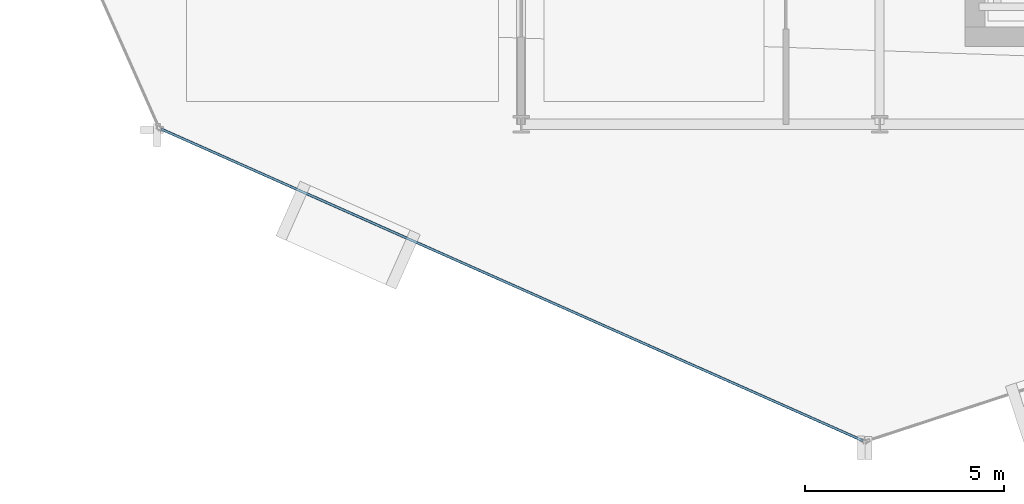
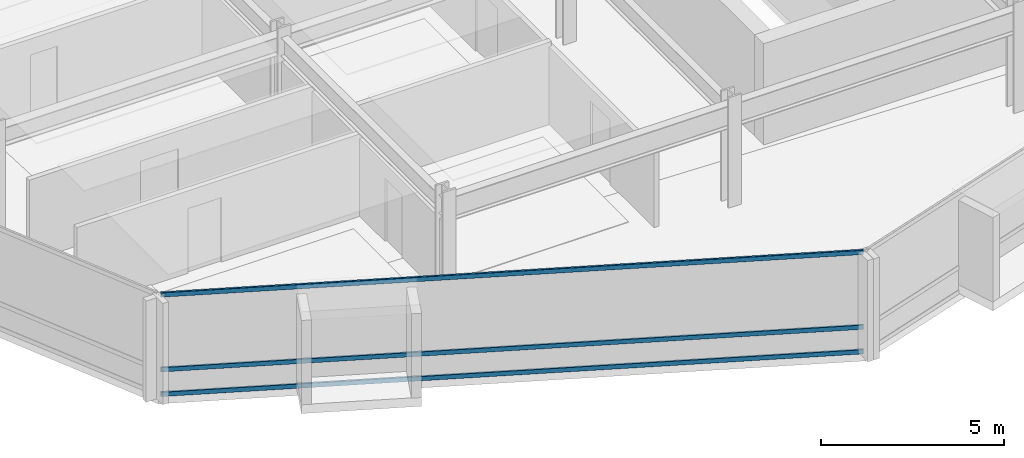
# One storey, part 3 of 29: 3 members, 1 element without a shape of its own.
"""IFC4 building model written with IfcOpenShell, lengths in metres."""

from ifc_helpers import new_model, si_unit, direction, frame, origin, origin_2d, place, context, subcontext, project, spatial, hollow_rectangle, extrude, material, layer, layer_set, material_profile, profile_set, type_object, element, aggregate, save


model = new_model("IFC4")

# Units and contexts
model_context = context("Model", 3, precision=1e-05, world=origin(), true_north=direction((0.0, 1.0)))
body_context = subcontext(model_context, "Body", "Model", "MODEL_VIEW")
ifc_project = project(units=[si_unit("LENGTHUNIT", "METRE"), si_unit("AREAUNIT", "SQUARE_METRE"), si_unit("VOLUMEUNIT", "CUBIC_METRE"), si_unit("PLANEANGLEUNIT", "RADIAN"), si_unit("MASSUNIT", "GRAM", prefix="KILO")], contexts=[model_context])

# Site, building, storey
site_placement = place(None, origin())
site = spatial("IfcSite", under=ifc_project, at=site_placement, CompositionType="ELEMENT")
building_placement = place(site_placement, origin())
building = spatial("IfcBuilding", under=site, at=building_placement, Name="Solvaryn Broadcast Tower", CompositionType="ELEMENT")
storey_placement = place(building_placement, frame((0.0, 0.0, 165.5)))
storey = spatial("IfcBuildingStorey", under=building, at=storey_placement, Name="L41", CompositionType="ELEMENT", Elevation=165.5)

# Curtain wall, members
ifc_material_1 = material(Name="Aluminium and Terracotta Unitised Curtain Wall", Category="masonry")
ifc_layer = layer(ifc_material_1, 0.199951171875)
ifc_layer_set = layer_set([ifc_layer], Name="CW-SYS2-LOWMID")
curtain_wall_type = type_object("IfcCurtainWallType", Name="CW-SYS2-LOWMID", PredefinedType="NOTDEFINED", material=ifc_layer_set)
curtain_wall_placement = place(storey_placement, origin())
curtain_wall = element("IfcCurtainWall", 1, at=curtain_wall_placement, inside=storey, type_object=curtain_wall_type, Name="L41 Curtain Wall DR3", PredefinedType="NOTDEFINED")
ifc_material_2 = material(Name="Anodised Aluminium 6063-T6", Category="aluminium")
ifc_material_profile = material_profile(ifc_material_2, hollow_rectangle(XDim=0.06494140625, YDim=0.14990234375, WallThickness=0.00390625, InnerFilletRadius=0.00390625, OuterFilletRadius=0.008056640625, at=origin_2d()))
ifc_profile_set = profile_set([ifc_material_profile], Name="Anodised Aluminium 6063-T6")
member_type = type_object("IfcMemberType", Name="CW-TRN-150", PredefinedType="USERDEFINED", material=ifc_profile_set)
member_1_placement = place(storey_placement, frame((8.962890625, 8.883544921875, 0.030029296875), z_axis=(0.913909703223, -0.405917546252, 0.0), x_axis=(0.405917546252, 0.913909703223, 0.0)))
member_1 = element("IfcMember", 2, at=member_1_placement, type_object=member_type, Name="CWS2 transom 1.1", ObjectType="TRANSOM", PredefinedType="USERDEFINED", context=body_context, shape_type="SweptSolid", body=[
    extrude(hollow_rectangle(XDim=0.06494140625, YDim=0.14990234375, WallThickness=0.00390625, InnerFilletRadius=0.00390625, OuterFilletRadius=0.008056640625, at=origin_2d()), origin(), (0.0, 0.0, 1.0), 19.27783203125),
])
member_2_placement = place(storey_placement, frame((8.962890625, 8.883544921875, 0.85009765625), z_axis=(0.913909703223, -0.405917546252, 0.0), x_axis=(0.405917546252, 0.913909703223, 0.0)))
member_2 = element("IfcMember", 3, at=member_2_placement, type_object=member_type, Name="CWS2 transom 1.2", ObjectType="TRANSOM", PredefinedType="USERDEFINED", context=body_context, shape_type="SweptSolid", body=[
    extrude(hollow_rectangle(XDim=0.06494140625, YDim=0.14990234375, WallThickness=0.00390625, InnerFilletRadius=0.00390625, OuterFilletRadius=0.008056640625, at=origin_2d()), origin(), (0.0, 0.0, 1.0), 19.27783203125),
])
member_3_placement = place(storey_placement, frame((8.962890625, 8.883544921875, 3.340087890625), z_axis=(0.913909703223, -0.405917546252, 0.0), x_axis=(0.405917546252, 0.913909703223, 0.0)))
member_3 = element("IfcMember", 4, at=member_3_placement, type_object=member_type, Name="CWS2 transom 1.3", ObjectType="TRANSOM", PredefinedType="USERDEFINED", context=body_context, shape_type="SweptSolid", body=[
    extrude(hollow_rectangle(XDim=0.06494140625, YDim=0.14990234375, WallThickness=0.00390625, InnerFilletRadius=0.00390625, OuterFilletRadius=0.008056640625, at=origin_2d()), origin(), (0.0, 0.0, 1.0), 19.27783203125),
])
aggregate(curtain_wall, [member_1, member_2, member_3])

save(model, "model.ifc")
